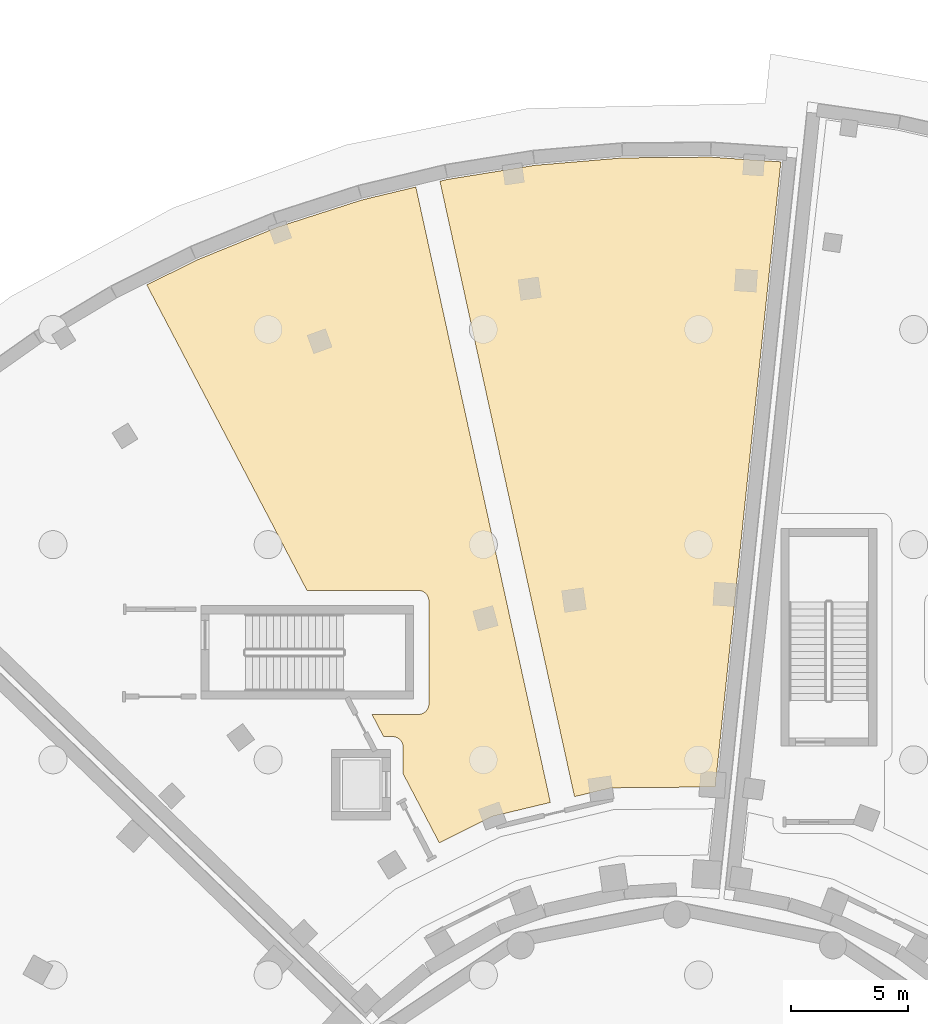
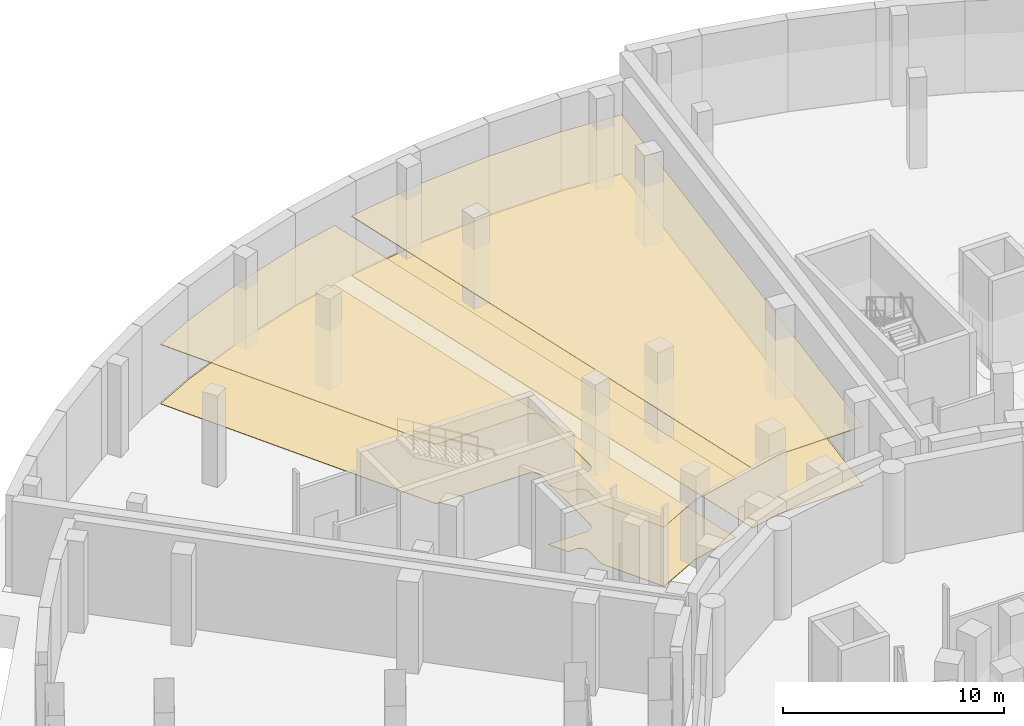
# One storey, part 28 of 33: 4 coverings.
"""IFC4 building model written with IfcOpenShell, lengths in metres."""

from ifc_helpers import new_model, si_unit, direction, frame, origin, place, context, subcontext, project, spatial, polyline, outline, extrude, material, layer, layer_set, type_object, element, save


model = new_model("IFC4")

# Units and contexts
model_context = context("Model", 3, precision=1e-05, world=origin(), true_north=direction((0.0, 1.0)))
body_context = subcontext(model_context, "Body", "Model", "MODEL_VIEW")
ifc_project = project(units=[si_unit("LENGTHUNIT", "METRE"), si_unit("AREAUNIT", "SQUARE_METRE"), si_unit("VOLUMEUNIT", "CUBIC_METRE"), si_unit("PLANEANGLEUNIT", "RADIAN"), si_unit("MASSUNIT", "GRAM", prefix="KILO")], contexts=[model_context])

# Site, building, storey
site_placement = place(None, origin())
site = spatial("IfcSite", under=ifc_project, at=site_placement, CompositionType="ELEMENT")
building_placement = place(site_placement, origin())
building = spatial("IfcBuilding", under=site, at=building_placement, Name="Soyqirgoq Riverine Aquarium", CompositionType="ELEMENT")
storey_placement = place(building_placement, frame((0.0, 0.0, -5.39990234375)))
storey = spatial("IfcBuildingStorey", under=building, at=storey_placement, Name="B01", CompositionType="ELEMENT", Elevation=-5.39990234375)

# Coverings
ifc_material_1 = material(Name="Seamless slip-resistant marine epoxy flooring", Category="concrete")
ifc_layer_1 = layer(ifc_material_1, 0.02001953125)
ifc_layer_set_1 = layer_set([ifc_layer_1], Name="Seamless slip-resistant marine epoxy flooring")
covering_type_1 = type_object("IfcCoveringType", Name="EpoxyWetFloorFinish_20", PredefinedType="FLOORING", material=ifc_layer_set_1)
covering_1_placement = place(storey_placement, origin())
element("IfcCovering", 1, at=covering_1_placement, inside=storey, type_object=covering_type_1, Name="Coral Culture Wet Laboratory Floor Finish", PredefinedType="FLOORING", context=body_context, shape_type="SweptSolid", body=[
    extrude(outline(polyline([(35.4599609375, 102.4208984375), (38.950927734375, 103.843017578125), (42.5390625, 104.998046875), (44.842041015625, 105.551025390625), (50.594970703125, 79.238037109375), (48.172119140625, 78.656005859375), (48.123046875, 78.64111328125), (48.075927734375, 78.62109375), (45.845947265625, 77.509033203125), (44.300048828125, 80.4580078125), (44.300048828125, 81.60009765625), (44.298095703125, 81.64404296875), (44.291015625, 81.68798828125), (44.281005859375, 81.73095703125), (44.26611328125, 81.77197265625), (44.2470703125, 81.81201171875), (44.22412109375, 81.85009765625), (44.197998046875, 81.885009765625), (44.16796875, 81.91796875), (44.135009765625, 81.947998046875), (44.10009765625, 81.97412109375), (44.06201171875, 81.9970703125), (44.02197265625, 82.01611328125), (43.98095703125, 82.031005859375), (43.93798828125, 82.041015625), (43.89404296875, 82.048095703125), (43.85009765625, 82.050048828125), (43.465087890625, 82.050048828125), (42.967041015625, 83.0), (44.949951171875, 83.0), (44.993896484375, 83.001953125), (45.0380859375, 83.009033203125), (45.0810546875, 83.01904296875), (45.1220703125, 83.033935546875), (45.162109375, 83.052978515625), (45.199951171875, 83.075927734375), (45.235107421875, 83.10205078125), (45.26806640625, 83.132080078125), (45.298095703125, 83.1650390625), (45.323974609375, 83.199951171875), (45.346923828125, 83.238037109375), (45.365966796875, 83.278076171875), (45.381103515625, 83.319091796875), (45.39111328125, 83.362060546875), (45.39794921875, 83.406005859375), (45.39990234375, 83.449951171875), (45.39990234375, 87.85009765625), (45.39794921875, 87.89404296875), (45.39111328125, 87.93798828125), (45.381103515625, 87.98095703125), (45.365966796875, 88.02197265625), (45.346923828125, 88.06201171875), (45.323974609375, 88.10009765625), (45.298095703125, 88.135009765625), (45.26806640625, 88.16796875), (45.235107421875, 88.197998046875), (45.199951171875, 88.22412109375), (45.162109375, 88.2470703125), (45.1220703125, 88.26611328125), (45.0810546875, 88.281005859375), (45.0380859375, 88.291015625), (44.993896484375, 88.298095703125), (44.949951171875, 88.300048828125), (40.18896484375, 88.300048828125), (33.340087890625, 101.364013671875), (35.4599609375, 102.4208984375)])), origin(), (0.0, 0.0, 1.0), 0.02001953125),
])
covering_2_placement = place(storey_placement, origin())
element("IfcCovering", 2, at=covering_2_placement, inside=storey, type_object=covering_type_1, Name="Tropical Reef Filtration Plant Floor Finish", PredefinedType="FLOORING", context=body_context, shape_type="SweptSolid", body=[
    extrude(outline(polyline([(46.2041015625, 105.8779296875), (49.925048828125, 106.47802734375), (53.680908203125, 106.7958984375), (57.449951171875, 106.827880859375), (60.451904296875, 106.626953125), (57.64306640625, 79.89990234375), (53.243896484375, 79.862060546875), (53.193115234375, 79.85888671875), (53.14306640625, 79.84912109375), (51.6259765625, 79.485107421875), (45.873046875, 105.798095703125), (46.2041015625, 105.8779296875)])), origin(), (0.0, 0.0, 1.0), 0.02001953125),
])
ifc_material_2 = material(Name="Anodised aluminium marine moisture-resistant ceiling", Category="aluminium")
ifc_layer_2 = layer(ifc_material_2, 0.0400390625)
ifc_layer_set_2 = layer_set([ifc_layer_2], Name="Anodised aluminium marine moisture-resistant ceiling")
covering_type_2 = type_object("IfcCoveringType", Name="MoistureCeiling_40", PredefinedType="CEILING", material=ifc_layer_set_2)
covering_3_placement = place(storey_placement, frame((0.0, 0.0, 3.260009765625)))
element("IfcCovering", 3, at=covering_3_placement, inside=storey, type_object=covering_type_2, Name="Coral Culture Wet Laboratory Suspended Ceiling", PredefinedType="CEILING", context=body_context, shape_type="SweptSolid", body=[
    extrude(outline(polyline([(35.4599609375, 102.4208984375), (38.950927734375, 103.843017578125), (42.5390625, 104.998046875), (44.842041015625, 105.551025390625), (50.594970703125, 79.238037109375), (48.172119140625, 78.656005859375), (48.123046875, 78.64111328125), (48.075927734375, 78.62109375), (45.845947265625, 77.509033203125), (44.300048828125, 80.4580078125), (44.300048828125, 81.60009765625), (44.298095703125, 81.64404296875), (44.291015625, 81.68798828125), (44.281005859375, 81.73095703125), (44.26611328125, 81.77197265625), (44.2470703125, 81.81201171875), (44.22412109375, 81.85009765625), (44.197998046875, 81.885009765625), (44.16796875, 81.91796875), (44.135009765625, 81.947998046875), (44.10009765625, 81.97412109375), (44.06201171875, 81.9970703125), (44.02197265625, 82.01611328125), (43.98095703125, 82.031005859375), (43.93798828125, 82.041015625), (43.89404296875, 82.048095703125), (43.85009765625, 82.050048828125), (43.465087890625, 82.050048828125), (42.967041015625, 83.0), (44.949951171875, 83.0), (44.993896484375, 83.001953125), (45.0380859375, 83.009033203125), (45.0810546875, 83.01904296875), (45.1220703125, 83.033935546875), (45.162109375, 83.052978515625), (45.199951171875, 83.075927734375), (45.235107421875, 83.10205078125), (45.26806640625, 83.132080078125), (45.298095703125, 83.1650390625), (45.323974609375, 83.199951171875), (45.346923828125, 83.238037109375), (45.365966796875, 83.278076171875), (45.381103515625, 83.319091796875), (45.39111328125, 83.362060546875), (45.39794921875, 83.406005859375), (45.39990234375, 83.449951171875), (45.39990234375, 87.85009765625), (45.39794921875, 87.89404296875), (45.39111328125, 87.93798828125), (45.381103515625, 87.98095703125), (45.365966796875, 88.02197265625), (45.346923828125, 88.06201171875), (45.323974609375, 88.10009765625), (45.298095703125, 88.135009765625), (45.26806640625, 88.16796875), (45.235107421875, 88.197998046875), (45.199951171875, 88.22412109375), (45.162109375, 88.2470703125), (45.1220703125, 88.26611328125), (45.0810546875, 88.281005859375), (45.0380859375, 88.291015625), (44.993896484375, 88.298095703125), (44.949951171875, 88.300048828125), (40.18896484375, 88.300048828125), (33.340087890625, 101.364013671875), (35.4599609375, 102.4208984375)])), origin(), (0.0, 0.0, 1.0), 0.039794921875),
])
covering_4_placement = place(storey_placement, frame((0.0, 0.0, 3.260009765625)))
element("IfcCovering", 4, at=covering_4_placement, inside=storey, type_object=covering_type_2, Name="Tropical Reef Filtration Plant Suspended Ceiling", PredefinedType="CEILING", context=body_context, shape_type="SweptSolid", body=[
    extrude(outline(polyline([(46.2041015625, 105.8779296875), (49.925048828125, 106.47802734375), (53.680908203125, 106.7958984375), (57.449951171875, 106.827880859375), (60.451904296875, 106.626953125), (57.64306640625, 79.89990234375), (53.243896484375, 79.862060546875), (53.193115234375, 79.85888671875), (53.14306640625, 79.84912109375), (51.6259765625, 79.485107421875), (45.873046875, 105.798095703125), (46.2041015625, 105.8779296875)])), origin(), (0.0, 0.0, 1.0), 0.039794921875),
])

save(model, "model.ifc")
